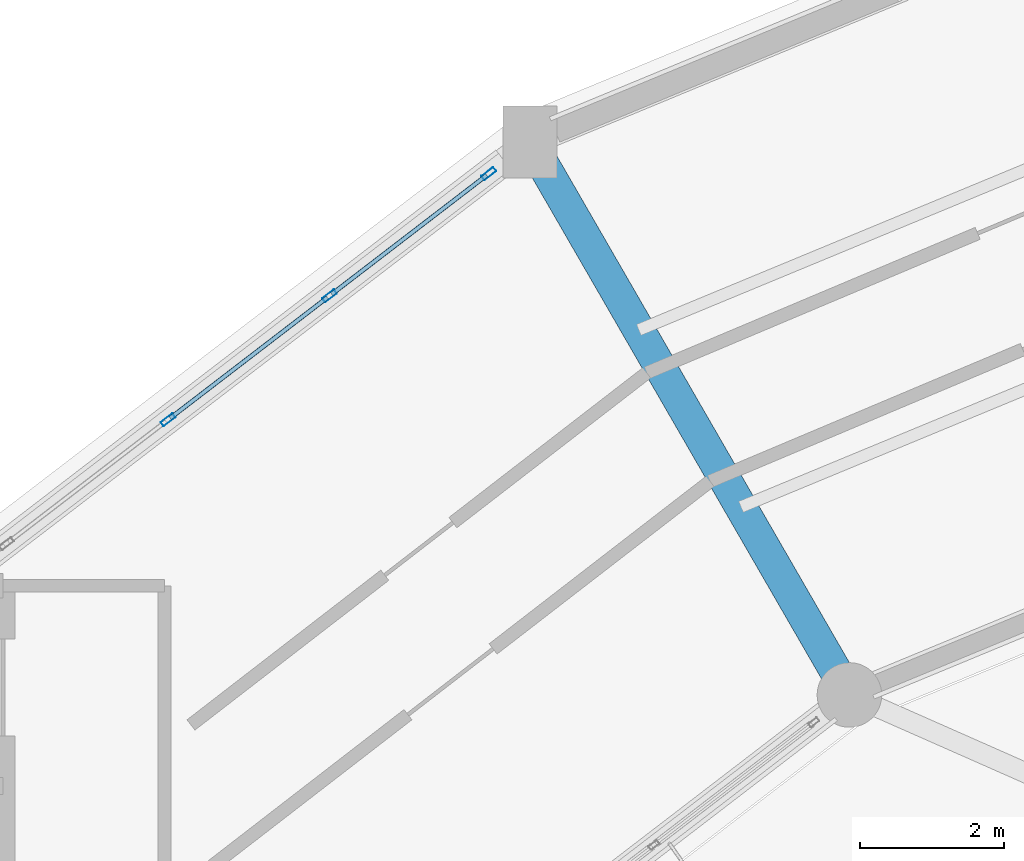
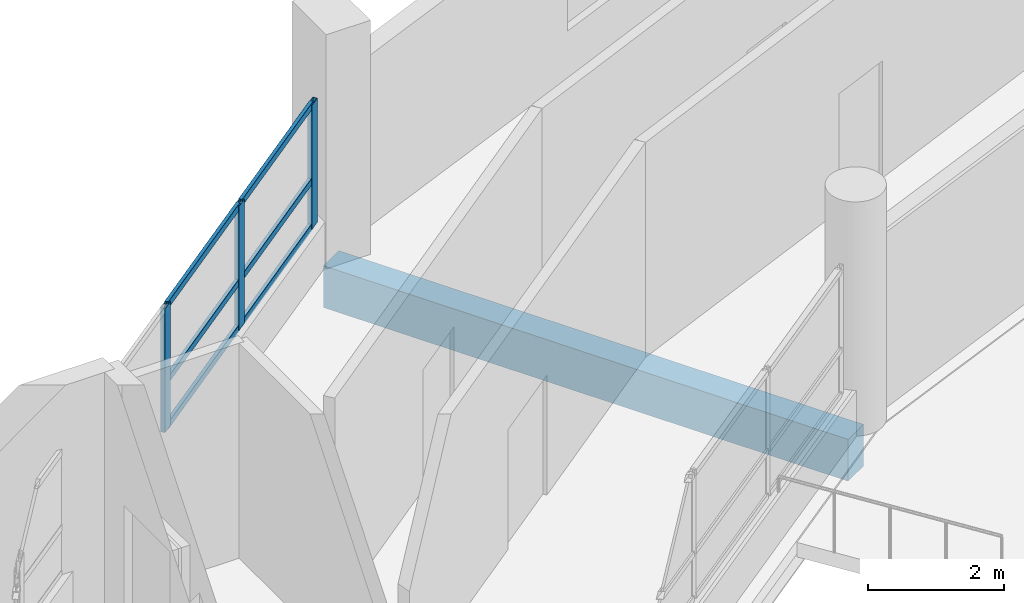
# One storey, part 56 of 128: 9 members, 1 beam, 1 element without a shape of its own.
"""IFC4 building model written with IfcOpenShell, lengths in metres."""

from ifc_helpers import new_model, si_unit, direction, frame, origin, origin_2d, place, context, subcontext, project, spatial, rectangle, hollow_rectangle, extrude, material, layer, layer_set, material_profile, profile_set, type_object, element, aggregate, save


model = new_model("IFC4")

# Units and contexts
model_context = context("Model", 3, precision=1e-05, world=origin(), true_north=direction((0.0, 1.0)))
body_context = subcontext(model_context, "Body", "Model", "MODEL_VIEW")
ifc_project = project(units=[si_unit("LENGTHUNIT", "METRE"), si_unit("AREAUNIT", "SQUARE_METRE"), si_unit("VOLUMEUNIT", "CUBIC_METRE"), si_unit("PLANEANGLEUNIT", "RADIAN"), si_unit("MASSUNIT", "GRAM", prefix="KILO")], contexts=[model_context])

# Site, building, storey
site_placement = place(None, origin())
site = spatial("IfcSite", under=ifc_project, at=site_placement, CompositionType="ELEMENT")
building_placement = place(site_placement, origin())
building = spatial("IfcBuilding", under=site, at=building_placement, Name="Vespera Passage Community Centre", CompositionType="ELEMENT")
storey_placement = place(building_placement, frame((0.0, 0.0, 4.5)))
storey = spatial("IfcBuildingStorey", under=building, at=storey_placement, Name="L01", CompositionType="ELEMENT", Elevation=4.5)

# Beam
ifc_material_1 = material(Name="Concrete f'c 35 MPa", Category="concrete")
ifc_material_profile_1 = material_profile(ifc_material_1, rectangle(XDim=0.449951171875, YDim=0.75, at=origin_2d()), Name="RC450X750")
ifc_profile_set_1 = profile_set([ifc_material_profile_1], Name="Concrete f'c 35 MPa")
beam_type = type_object("IfcBeamType", Name="BM-G-450X750", PredefinedType="BEAM", material=ifc_profile_set_1)
beam_placement = place(storey_placement, frame((59.39990234375, 97.716064453125, -0.614990234375), z_axis=(-0.499989191739, 0.866031643847, 0.0), x_axis=(-0.866031643847, -0.499989191739, 0.0)))
element("IfcBeam", 1, at=beam_placement, inside=storey, type_object=beam_type, Name="V4 L01 Radial Girder 8", PredefinedType="BEAM", context=body_context, shape_type="SweptSolid", body=[
    extrude(rectangle(XDim=0.449951171875, YDim=0.75, at=origin_2d()), origin(), (0.0, 0.0, 1.0), 8.900146484375),
])

# Curtain wall, members
ifc_material_2 = material(Name="Anodized aluminium 6063-T6", Category="aluminium")
ifc_layer = layer(ifc_material_2, 0.159912109375)
ifc_layer_set = layer_set([ifc_layer], Name="Anodized aluminium 6063-T6")
curtain_wall_type = type_object("IfcCurtainWallType", Name="CW-16E", PredefinedType="NOTDEFINED", material=ifc_layer_set)
curtain_wall_placement = place(storey_placement, origin())
curtain_wall = element("IfcCurtainWall", 2, at=curtain_wall_placement, inside=storey, type_object=curtain_wall_type, Name="V4 L01 Outer Ribbon Curtain Wall 8", PredefinedType="NOTDEFINED")
ifc_material_3 = material(Name="Anodized aluminium 6063-T6", Category="aluminium")
ifc_material_profile_2 = material_profile(ifc_material_3, hollow_rectangle(XDim=0.074951171875, YDim=0.2099609375, WallThickness=0.0048828125, InnerFilletRadius=0.00244140625, OuterFilletRadius=0.0048828125, at=origin_2d()), Name="ALU210X75X5")
ifc_profile_set_2 = profile_set([ifc_material_profile_2], Name="Anodized aluminium 6063-T6")
member_type_1 = type_object("IfcMemberType", Name="MB-CWM-210E", PredefinedType="MULLION", material=ifc_profile_set_2)
member_1_placement = place(storey_placement, frame((49.9033203125, 101.551513671875, 0.820068359375), z_axis=(0.0, 0.0, 1.0), x_axis=(-0.608768221519, 0.793348128169, 0.0)))
member_1 = element("IfcMember", 3, at=member_1_placement, type_object=member_type_1, Name="CW-16E mullion 3", PredefinedType="MULLION", context=body_context, shape_type="SweptSolid", body=[
    extrude(hollow_rectangle(XDim=0.074951171875, YDim=0.2099609375, WallThickness=0.0048828125, InnerFilletRadius=0.00244140625, OuterFilletRadius=0.0048828125, at=origin_2d()), origin(), (0.0, 0.0, 1.0), 2.2255859375),
])
member_2_placement = place(storey_placement, frame((52.15380859375, 103.2783203125, 0.820068359375), z_axis=(0.0, 0.0, 1.0), x_axis=(-0.608768221519, 0.793348128169, 0.0)))
member_2 = element("IfcMember", 4, at=member_2_placement, type_object=member_type_1, Name="CW-16E mullion 4", PredefinedType="MULLION", context=body_context, shape_type="SweptSolid", body=[
    extrude(hollow_rectangle(XDim=0.074951171875, YDim=0.2099609375, WallThickness=0.0048828125, InnerFilletRadius=0.00244140625, OuterFilletRadius=0.0048828125, at=origin_2d()), origin(), (0.0, 0.0, 1.0), 2.2255859375),
])
member_3_placement = place(storey_placement, frame((54.374755859375, 104.982421875, 0.820068359375), z_axis=(0.0, 0.0, 1.0), x_axis=(-0.608768221519, 0.793348128169, 0.0)))
member_3 = element("IfcMember", 5, at=member_3_placement, type_object=member_type_1, Name="CW-16E mullion 5", PredefinedType="MULLION", context=body_context, shape_type="SweptSolid", body=[
    extrude(hollow_rectangle(XDim=0.074951171875, YDim=0.2099609375, WallThickness=0.0048828125, InnerFilletRadius=0.00244140625, OuterFilletRadius=0.0048828125, at=origin_2d()), origin(), (0.0, 0.0, 1.0), 2.2255859375),
])
ifc_material_4 = material(Name="Anodized aluminium 6063-T6", Category="aluminium")
ifc_material_profile_3 = material_profile(ifc_material_4, hollow_rectangle(XDim=0.06005859375, YDim=0.1201171875, WallThickness=0.00390625, InnerFilletRadius=0.001953125, OuterFilletRadius=0.00390625, at=origin_2d()), Name="ALU120X60X4")
ifc_profile_set_3 = profile_set([ifc_material_profile_3], Name="Anodized aluminium 6063-T6")
member_type_2 = type_object("IfcMemberType", Name="MB-CWT-120E", PredefinedType="USERDEFINED", material=ifc_profile_set_3)
member_4_placement = place(storey_placement, frame((49.93310546875, 101.57421875, 0.85009765625), z_axis=(0.793385774295, 0.60871915786, 0.0), x_axis=(-0.60871915786, 0.793385774295, 0.0)))
member_4 = element("IfcMember", 6, at=member_4_placement, type_object=member_type_2, Name="CW-16E transom 3.1", ObjectType="TRANSOM", PredefinedType="USERDEFINED", context=body_context, shape_type="SweptSolid", body=[
    extrude(hollow_rectangle(XDim=0.06005859375, YDim=0.1201171875, WallThickness=0.00390625, InnerFilletRadius=0.001953125, OuterFilletRadius=0.00390625, at=origin_2d()), origin(), (0.0, 0.0, 1.0), 2.76171875),
])
member_5_placement = place(storey_placement, frame((49.93310546875, 101.57421875, 1.669921875), z_axis=(0.793385774295, 0.60871915786, 0.0), x_axis=(-0.60871915786, 0.793385774295, 0.0)))
member_5 = element("IfcMember", 7, at=member_5_placement, type_object=member_type_2, Name="CW-16E transom 3.2", ObjectType="TRANSOM", PredefinedType="USERDEFINED", context=body_context, shape_type="SweptSolid", body=[
    extrude(hollow_rectangle(XDim=0.06005859375, YDim=0.1201171875, WallThickness=0.00390625, InnerFilletRadius=0.001953125, OuterFilletRadius=0.00390625, at=origin_2d()), origin(), (0.0, 0.0, 1.0), 2.76171875),
])
member_6_placement = place(storey_placement, frame((49.93310546875, 101.57421875, 3.015625), z_axis=(0.793385774295, 0.60871915786, 0.0), x_axis=(-0.60871915786, 0.793385774295, 0.0)))
member_6 = element("IfcMember", 8, at=member_6_placement, type_object=member_type_2, Name="CW-16E transom 3.3", ObjectType="TRANSOM", PredefinedType="USERDEFINED", context=body_context, shape_type="SweptSolid", body=[
    extrude(hollow_rectangle(XDim=0.06005859375, YDim=0.1201171875, WallThickness=0.00390625, InnerFilletRadius=0.001953125, OuterFilletRadius=0.00390625, at=origin_2d()), origin(), (0.0, 0.0, 1.0), 2.76171875),
])
member_7_placement = place(storey_placement, frame((52.18359375, 103.301025390625, 0.85009765625), z_axis=(0.793359651626, 0.608753203829, 0.0), x_axis=(-0.608753203829, 0.793359651626, 0.0)))
member_7 = element("IfcMember", 9, at=member_7_placement, type_object=member_type_2, Name="CW-16E transom 4.1", ObjectType="TRANSOM", PredefinedType="USERDEFINED", context=body_context, shape_type="SweptSolid", body=[
    extrude(hollow_rectangle(XDim=0.06005859375, YDim=0.1201171875, WallThickness=0.00390625, InnerFilletRadius=0.001953125, OuterFilletRadius=0.00390625, at=origin_2d()), origin(), (0.0, 0.0, 1.0), 2.724365234375),
])
member_8_placement = place(storey_placement, frame((52.18359375, 103.301025390625, 1.669921875), z_axis=(0.793359651626, 0.608753203829, 0.0), x_axis=(-0.608753203829, 0.793359651626, 0.0)))
member_8 = element("IfcMember", 10, at=member_8_placement, type_object=member_type_2, Name="CW-16E transom 4.2", ObjectType="TRANSOM", PredefinedType="USERDEFINED", context=body_context, shape_type="SweptSolid", body=[
    extrude(hollow_rectangle(XDim=0.06005859375, YDim=0.1201171875, WallThickness=0.00390625, InnerFilletRadius=0.001953125, OuterFilletRadius=0.00390625, at=origin_2d()), origin(), (0.0, 0.0, 1.0), 2.724365234375),
])
member_9_placement = place(storey_placement, frame((52.18359375, 103.301025390625, 3.015625), z_axis=(0.793359651626, 0.608753203829, 0.0), x_axis=(-0.608753203829, 0.793359651626, 0.0)))
member_9 = element("IfcMember", 11, at=member_9_placement, type_object=member_type_2, Name="CW-16E transom 4.3", ObjectType="TRANSOM", PredefinedType="USERDEFINED", context=body_context, shape_type="SweptSolid", body=[
    extrude(hollow_rectangle(XDim=0.06005859375, YDim=0.1201171875, WallThickness=0.00390625, InnerFilletRadius=0.001953125, OuterFilletRadius=0.00390625, at=origin_2d()), origin(), (0.0, 0.0, 1.0), 2.724365234375),
])
aggregate(curtain_wall, [member_1, member_2, member_3, member_4, member_5, member_6, member_7, member_8, member_9])

save(model, "model.ifc")
